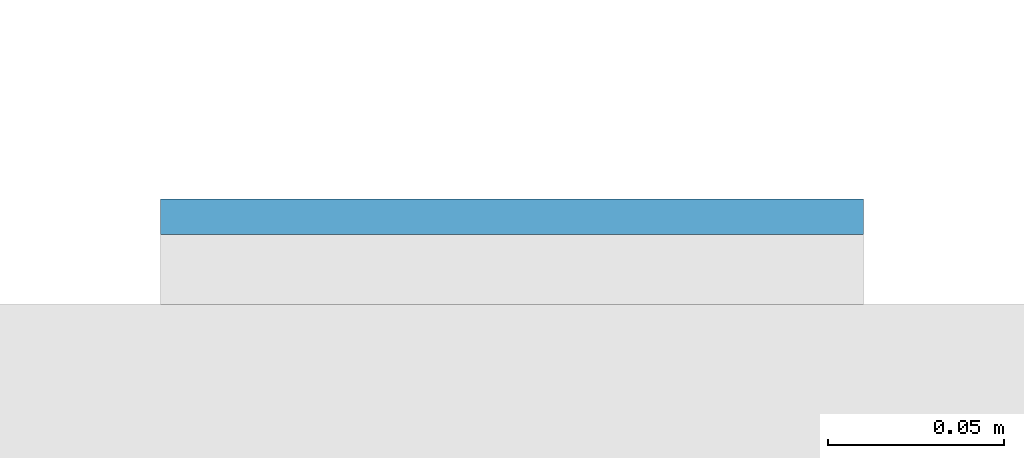
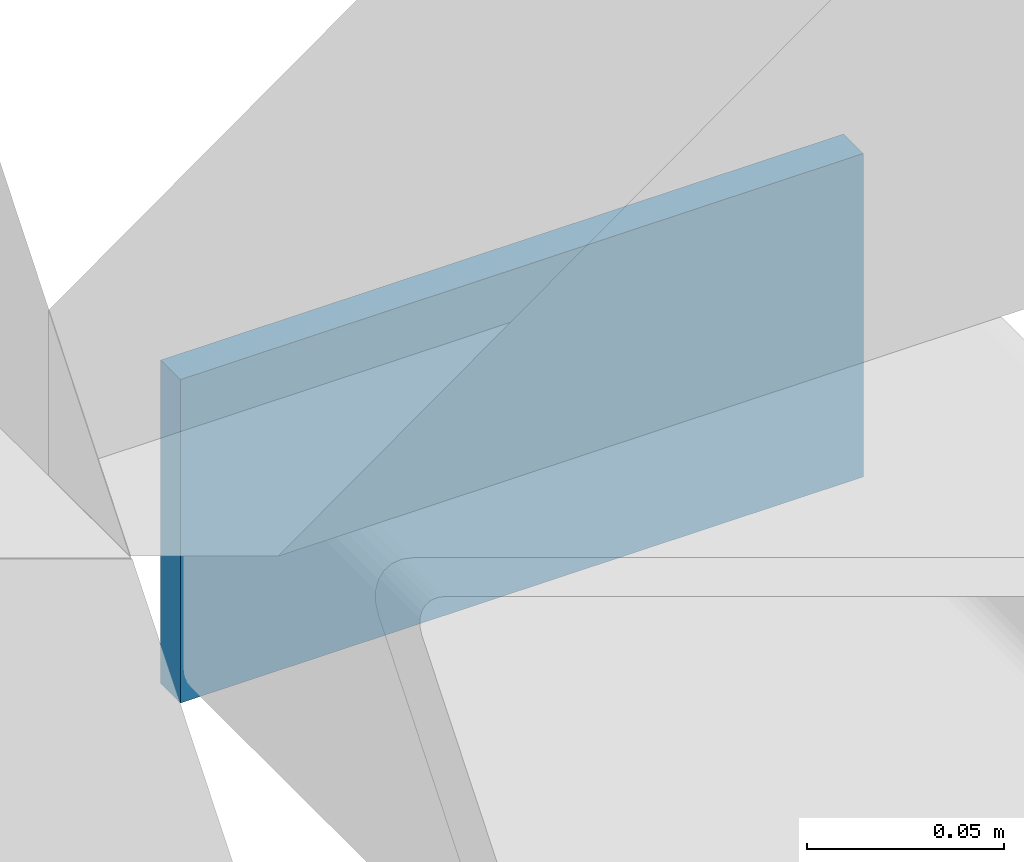
# One storey, part 6 of 12: 1 plate.
"""IFC4 building model written with IfcOpenShell, lengths in metres."""

from ifc_helpers import new_model, si_unit, direction, frame, origin, origin_2d, place, context, subcontext, project, spatial, rectangle, extrude, material, layer, layer_set, type_object, element, save


model = new_model("IFC4")

# Units and contexts
model_context = context("Model", 3, precision=1e-05, world=origin(), true_north=direction((0.0, 1.0)))
body_context = subcontext(model_context, "Body", "Model", "MODEL_VIEW")
ifc_project = project(units=[si_unit("LENGTHUNIT", "METRE"), si_unit("AREAUNIT", "SQUARE_METRE"), si_unit("VOLUMEUNIT", "CUBIC_METRE"), si_unit("PLANEANGLEUNIT", "RADIAN"), si_unit("MASSUNIT", "GRAM", prefix="KILO")], contexts=[model_context])

# Site, building, storey
site_placement = place(None, origin())
site = spatial("IfcSite", under=ifc_project, at=site_placement, CompositionType="ELEMENT")
building_placement = place(site_placement, origin())
building = spatial("IfcBuilding", under=site, at=building_placement, Name="Cleftline Residences", CompositionType="ELEMENT")
storey_placement = place(building_placement, frame((0.0, 0.0, 244.800048828125)))
storey = spatial("IfcBuildingStorey", under=building, at=storey_placement, Name="L64", CompositionType="ELEMENT", Elevation=244.800048828125)

# Plate
ifc_material = material(Name="Steel S355, hot-dip galvanised", Category="steel")
ifc_layer = layer(ifc_material, 0.010009765625)
ifc_layer_set = layer_set([ifc_layer], Name="BAGUETTE CARRIER END PLATE 200X100X10")
plate_type = type_object("IfcPlateType", Name="BAGUETTE CARRIER END PLATE 200X100X10", PredefinedType="USERDEFINED", material=ifc_layer_set)
plate_placement = place(storey_placement, frame((66.85009765625, 44.304931640625, -0.10009765625), z_axis=(0.0, 0.0, 1.0), x_axis=(1.0, 0.0, 0.0)))
element("IfcPlate", 1, at=plate_placement, inside=storey, type_object=plate_type, Name="Baguette carrier end plate", ObjectType="BAGUETTE CARRIER END PLATE", PredefinedType="USERDEFINED", context=body_context, shape_type="SweptSolid", body=[
    extrude(rectangle(XDim=0.199951171875, YDim=0.010009765625, at=origin_2d()), origin(), (0.0, 0.0, 1.0), 0.10009765625),
])

save(model, "model.ifc")
